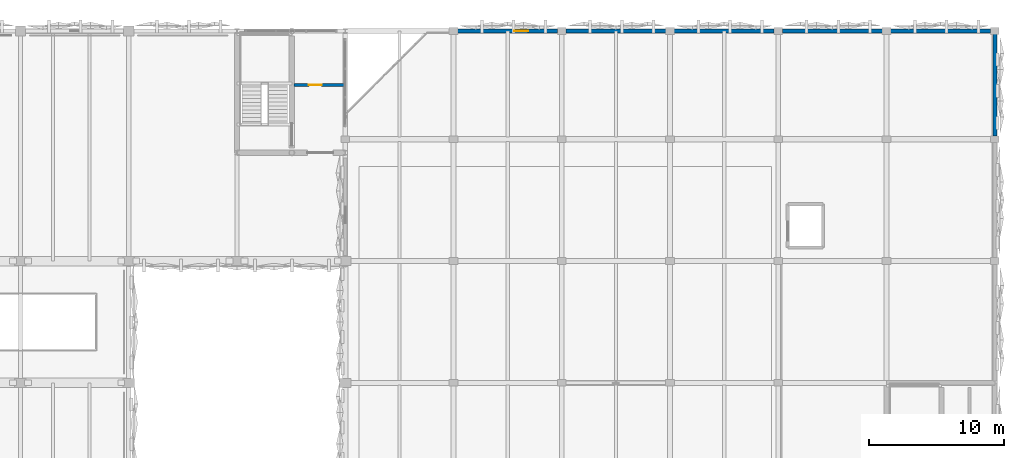
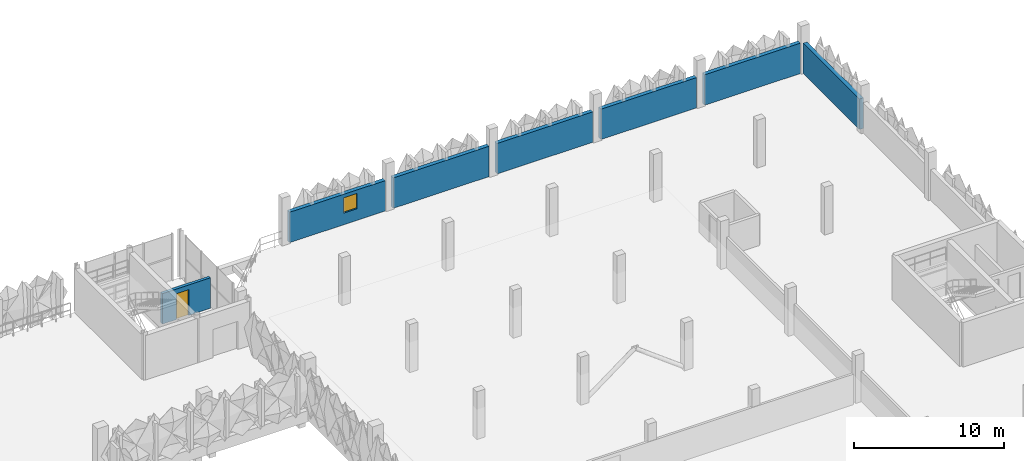
# One storey, part 45 of 83: 7 walls, 1 door, 1 window, 2 openings.
"""IFC4 building model written with IfcOpenShell, lengths in metres."""

from ifc_helpers import new_model, si_unit, derived_unit, direction, frame, frame_2d, origin, place, context, subcontext, project, spatial, rectangle, extrude, material, layer, layer_set, type_object, element, fill, save


model = new_model("IFC4")

# Units and contexts
model_context = context("Model", 3, precision=1e-05, world=origin(), true_north=direction((0.0, 1.0)))
body_context = subcontext(model_context, "Body", "Model", "MODEL_VIEW")
ifc_project = project(units=[si_unit("LENGTHUNIT", "METRE"), si_unit("AREAUNIT", "SQUARE_METRE"), si_unit("VOLUMEUNIT", "CUBIC_METRE"), si_unit("PLANEANGLEUNIT", "RADIAN"), si_unit("MASSUNIT", "GRAM", prefix="KILO"), si_unit("THERMODYNAMICTEMPERATUREUNIT", "KELVIN"), derived_unit("THERMALTRANSMITTANCEUNIT", [(si_unit("POWERUNIT", "WATT"), 1), (si_unit("AREAUNIT", "SQUARE_METRE"), -1), (si_unit("THERMODYNAMICTEMPERATUREUNIT", "KELVIN"), -1)])], contexts=[model_context])

# Site, building, storey
site_placement = place(None, origin())
site = spatial("IfcSite", under=ifc_project, at=site_placement, CompositionType="ELEMENT")
building_placement = place(site_placement, origin())
building = spatial("IfcBuilding", under=site, at=building_placement, Name="Haiyu Intermodal Mobility Hub", CompositionType="ELEMENT")
storey_placement = place(building_placement, frame((0.0, 0.0, 13.39990234375)))
storey = spatial("IfcBuildingStorey", under=building, at=storey_placement, Name="L03", CompositionType="ELEMENT", Elevation=13.39990234375)

# Wall
ifc_material_1 = material(Name="Precast concrete C40", Category="concrete")
ifc_layer_1 = layer(ifc_material_1, 0.300048828125)
ifc_layer_set_1 = layer_set([ifc_layer_1], Name="Precast concrete C40")
wall_type_1 = type_object("IfcWallType", Name="WAL-WE01", PredefinedType="STANDARD", material=ifc_layer_set_1)
wall_1_placement = place(storey_placement, frame((210.0, 140.235107421875, 0.0), z_axis=(0.0, 0.0, 1.0), x_axis=(0.0, 1.0, 0.0)))
element("IfcWall", 1, at=wall_1_placement, inside=storey, type_object=wall_type_1, Name="WAL-V6E-220", PredefinedType="STANDARD", context=body_context, shape_type="SweptSolid", body=[
    extrude(rectangle(XDim=7.52978515625, YDim=0.300048828125, at=frame_2d((3.764892578125, 0.0))), origin(), (0.0, 0.0, 1.0), 2.47998046875),
])

# Wall, opening, window
wall_2_placement = place(storey_placement, frame((177.695068359375, 148.0, 0.0), z_axis=(0.0, 0.0, 1.0), x_axis=(-1.0, 0.0, 0.0)))
wall_2 = element("IfcWall", 2, at=wall_2_placement, inside=storey, type_object=wall_type_1, Name="WAL-V6N-222", PredefinedType="STANDARD", context=body_context, shape_type="SweptSolid", body=[
    extrude(rectangle(XDim=7.39013671875, YDim=0.300048828125, at=frame_2d((3.695068359375, 0.0))), origin(), (0.0, 0.0, 1.0), 2.47998046875),
])
opening_1_placement = place(wall_2_placement, frame((2.175048828125, 0.0, 0.949951171875)))
opening_1 = element("IfcOpeningElement", 3, at=opening_1_placement, cuts=wall_2, Name="Opening WN21", PredefinedType="OPENING", context=body_context, shape_type="SweptSolid", body=[
    extrude(rectangle(XDim=1.050048828125, YDim=1.25, at=frame_2d((0.52490234375, 0.625))), frame((0.0, 0.16015625, 0.0), z_axis=(0.0, -1.0, 0.0), x_axis=(1.0, 0.0, 0.0)), (0.0, 0.0, 1.0), 0.320068359375),
])
ifc_material_2 = material(Name="Low-e laminated insulating glass", Category="glass")
window_type = type_object("IfcWindowType", Name="WIN-WN21", PartitioningType="SINGLE_PANEL", PredefinedType="WINDOW", material=ifc_material_2)
window_placement = place(opening_1_placement, origin())
window = element("IfcWindow", 4, at=window_placement, inside=storey, type_object=window_type, Name="WAL-V6N-222-WN01", OverallHeight=1.25, OverallWidth=1.050048828125, PartitioningType="SINGLE_PANEL", PredefinedType="WINDOW", context=body_context, shape_type="SweptSolid", body=[
    extrude(rectangle(XDim=1.050048828125, YDim=1.25, at=frame_2d((0.52490234375, 0.625))), frame((0.0, 0.030029296875, 0.0), z_axis=(0.0, -1.0, 0.0), x_axis=(1.0, 0.0, 0.0)), (0.0, 0.0, 1.0), 0.06005859375),
])
fill(opening_1, window)

# Walls
for number, where, z_axis, x_axis, name in (
    (5, (185.695068359375, 148.0, 0.0), (0.0, 0.0, 1.0), (-1.0, 0.0, 0.0), "WAL-V6N-224"),
    (6, (193.695068359375, 148.0, 0.0), (0.0, 0.0, 1.0), (-1.0, 0.0, 0.0), "WAL-V6N-226"),
    (7, (201.695068359375, 148.0, 0.0), (0.0, 0.0, 1.0), (-1.0, 0.0, 0.0), "WAL-V6N-228"),
    (8, (209.695068359375, 148.0, 0.0), (0.0, 0.0, 1.0), (-1.0, 0.0, 0.0), "WAL-V6N-230"),
):
    element("IfcWall", number, at=place(storey_placement, frame(where, z_axis=z_axis, x_axis=x_axis)), inside=storey, type_object=wall_type_1, Name=name, PredefinedType="STANDARD", context=body_context, shape_type="SweptSolid", body=[
        extrude(rectangle(XDim=7.39013671875, YDim=0.300048828125, at=frame_2d((3.695068359375, 0.0))), origin(), (0.0, 0.0, 1.0), 2.47998046875),
    ])

# Wall, opening, door
ifc_material_3 = material(Name="Autoclaved aerated concrete block A5.0", Category="concrete")
ifc_layer_2 = layer(ifc_material_3, 0.22998046875)
ifc_layer_set_2 = layer_set([ifc_layer_2], Name="Autoclaved aerated concrete block A5.0")
wall_type_2 = type_object("IfcWallType", Name="WAL-WI01", PredefinedType="PARTITIONING", material=ifc_layer_set_2)
wall_3_placement = place(storey_placement, frame((158.2099609375, 144.0, 0.0), z_axis=(0.0, 0.0, 1.0), x_axis=(1.0, 0.0, 0.0)))
wall_3 = element("IfcWall", 9, at=wall_3_placement, inside=storey, type_object=wall_type_2, Name="WAL-CORE-C4-LFT-L03", PredefinedType="PARTITIONING", context=body_context, shape_type="SweptSolid", body=[
    extrude(rectangle(XDim=3.7099609375, YDim=0.22998046875, at=frame_2d((1.85498046875, 0.0))), origin(), (0.0, 0.0, 1.0), 2.47998046875),
])
opening_2_placement = place(wall_3_placement, frame((1.10009765625, 0.0, 0.0)))
opening_2 = element("IfcOpeningElement", 10, at=opening_2_placement, cuts=wall_3, Name="Opening DI07", PredefinedType="OPENING", context=body_context, shape_type="SweptSolid", body=[
    extrude(rectangle(XDim=0.949951171875, YDim=2.10009765625, at=frame_2d((0.47509765625, 1.050048828125))), frame((0.0, 0.125, 0.0), z_axis=(0.0, -1.0, 0.0), x_axis=(1.0, 0.0, 0.0)), (0.0, 0.0, 1.0), 0.25),
])
ifc_material_4 = material(Name="Steel Q355C", Category="steel")
door_type = type_object("IfcDoorType", Name="DR-DI07", OperationType="NOTDEFINED", PredefinedType="DOOR", material=ifc_material_4)
door_placement = place(opening_2_placement, origin())
door = element("IfcDoor", 11, at=door_placement, inside=storey, type_object=door_type, Name="Core C4 Accessible WC Door L03", OperationType="SINGLE_SWING_RIGHT", OverallHeight=2.10009765625, OverallWidth=0.949951171875, PredefinedType="DOOR", context=body_context, shape_type="SweptSolid", body=[
    extrude(rectangle(XDim=0.949951171875, YDim=2.10009765625, at=frame_2d((0.47509765625, 1.050048828125))), frame((0.0, 0.02490234375, 0.0), z_axis=(0.0, -1.0, 0.0), x_axis=(1.0, 0.0, 0.0)), (0.0, 0.0, 1.0), 0.050048828125),
])
fill(opening_2, door)

save(model, "model.ifc")
